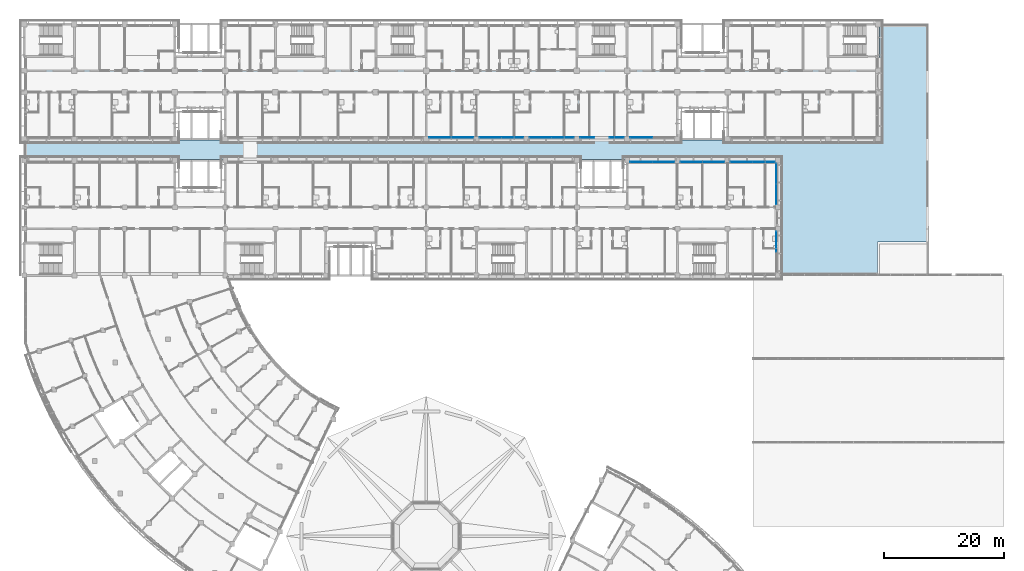
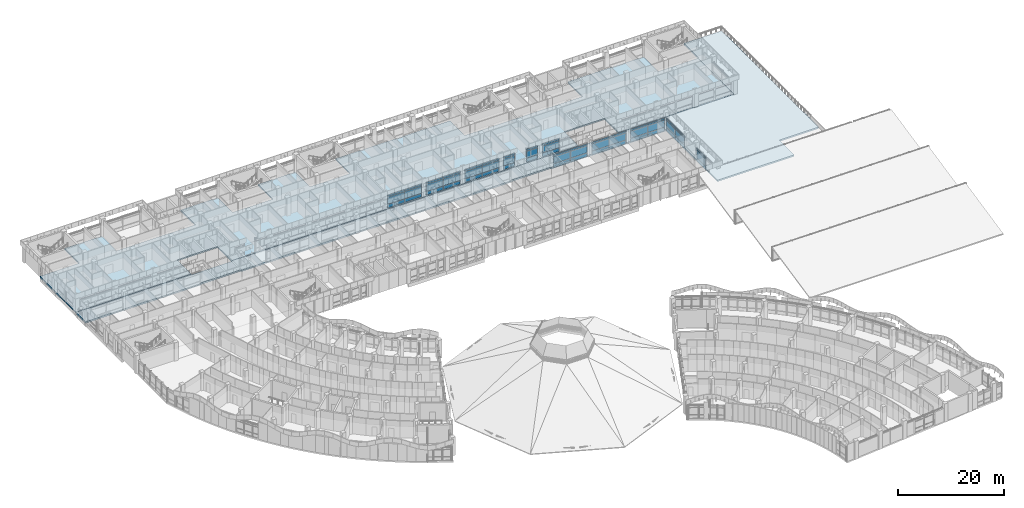
# One storey, part 58 of 137: 54 plates, 2 slabs, 11 elements without a shape of their own.
"""IFC4 building model written with IfcOpenShell, lengths in metres."""

from ifc_helpers import new_model, si_unit, direction, frame, origin, origin_2d, place, context, subcontext, project, spatial, polyline, rectangle, outline, extrude, material, layer, layer_set, type_object, element, aggregate, save


model = new_model("IFC4")

# Units and contexts
model_context = context("Model", 3, precision=1e-05, world=origin(), true_north=direction((0.0, 1.0)))
body_context = subcontext(model_context, "Body", "Model", "MODEL_VIEW")
ifc_project = project(units=[si_unit("LENGTHUNIT", "METRE"), si_unit("AREAUNIT", "SQUARE_METRE"), si_unit("VOLUMEUNIT", "CUBIC_METRE"), si_unit("PLANEANGLEUNIT", "RADIAN"), si_unit("MASSUNIT", "GRAM", prefix="KILO")], contexts=[model_context])

# Site, building, storey
site_placement = place(None, origin())
site = spatial("IfcSite", under=ifc_project, at=site_placement, CompositionType="ELEMENT")
building_placement = place(site_placement, origin())
building = spatial("IfcBuilding", under=site, at=building_placement, Name="Bougainvillea Quay General Hospital", CompositionType="ELEMENT")
storey_placement = place(building_placement, frame((0.0, 0.0, 16.800048828125)))
storey = spatial("IfcBuildingStorey", under=building, at=storey_placement, Name="L03", CompositionType="ELEMENT", Elevation=16.800048828125)

# Curtain wall, plates
ifc_material_1 = material(Name="Aluminium curtain wall system, powder-coated glazed", Category="aluminium")
curtain_wall_type_1 = type_object("IfcCurtainWallType", Name="Unitised curtain wall CW-2470", PredefinedType="NOTDEFINED", material=ifc_material_1)
curtain_wall_1_placement = place(storey_placement, origin())
curtain_wall_1 = element("IfcCurtainWall", 1, at=curtain_wall_1_placement, inside=storey, type_object=curtain_wall_type_1, Name="CW-4200 00", PredefinedType="NOTDEFINED")
ifc_material_2 = material(Name="Insulated aluminium spandrel panel, white", Category="aluminium")
ifc_layer_1 = layer(ifc_material_2, 0.028076171875)
ifc_layer_set_1 = layer_set([ifc_layer_1], Name="Insulated aluminium spandrel panel, white")
plate_type_1 = type_object("IfcPlateType", Name="Insulated spandrel panel white 28", PredefinedType="CURTAIN_PANEL", material=ifc_layer_set_1)
plate_1_placement = place(storey_placement, frame((141.094970703125, 140.64990234375, 0.059814453125), z_axis=(0.0, 0.0, 1.0), x_axis=(1.0, 0.0, 0.0)))
plate_1 = element("IfcPlate", 2, at=plate_1_placement, type_object=plate_type_1, Name="CW-4200 spandrel panel 1.1", PredefinedType="CURTAIN_PANEL", context=body_context, shape_type="SweptSolid", body=[
    extrude(rectangle(XDim=2.35009765625, YDim=0.028076171875, at=origin_2d()), origin(), (0.0, 0.0, 1.0), 0.81005859375),
])
plate_2_placement = place(storey_placement, frame((141.094970703125, 140.64990234375, 2.580078125), z_axis=(0.0, 0.0, 1.0), x_axis=(1.0, 0.0, 0.0)))
plate_2 = element("IfcPlate", 3, at=plate_2_placement, type_object=plate_type_1, Name="CW-4200 spandrel panel 1.3", PredefinedType="CURTAIN_PANEL", context=body_context, shape_type="SweptSolid", body=[
    extrude(rectangle(XDim=2.35009765625, YDim=0.028076171875, at=origin_2d()), origin(), (0.0, 0.0, 1.0), 0.409912109375),
])

curtain_wall_type_2 = type_object("IfcCurtainWallType", Name="Unitised curtain wall CW-3730", PredefinedType="NOTDEFINED", material=ifc_material_1)
curtain_wall_2_placement = place(storey_placement, origin())
curtain_wall_2 = element("IfcCurtainWall", 4, at=curtain_wall_2_placement, inside=storey, type_object=curtain_wall_type_2, Name="CW-4200 01", PredefinedType="NOTDEFINED")
plate_3_placement = place(storey_placement, frame((145.14990234375, 140.64990234375, 0.059814453125), z_axis=(0.0, 0.0, 1.0), x_axis=(1.0, 0.0, 0.0)))
plate_3 = element("IfcPlate", 5, at=plate_3_placement, type_object=plate_type_1, Name="CW-4200 spandrel panel 1.1", PredefinedType="CURTAIN_PANEL", context=body_context, shape_type="SweptSolid", body=[
    extrude(rectangle(XDim=3.639892578125, YDim=0.028076171875, at=origin_2d()), origin(), (0.0, 0.0, 1.0), 0.81005859375),
])
plate_4_placement = place(storey_placement, frame((145.14990234375, 140.64990234375, 2.580078125), z_axis=(0.0, 0.0, 1.0), x_axis=(1.0, 0.0, 0.0)))
plate_4 = element("IfcPlate", 6, at=plate_4_placement, type_object=plate_type_1, Name="CW-4200 spandrel panel 1.3", PredefinedType="CURTAIN_PANEL", context=body_context, shape_type="SweptSolid", body=[
    extrude(rectangle(XDim=3.639892578125, YDim=0.028076171875, at=origin_2d()), origin(), (0.0, 0.0, 1.0), 0.409912109375),
])

curtain_wall_3_placement = place(storey_placement, origin())
curtain_wall_3 = element("IfcCurtainWall", 7, at=curtain_wall_3_placement, inside=storey, type_object=curtain_wall_type_2, Name="CW-4200 04", PredefinedType="NOTDEFINED")
plate_5_placement = place(storey_placement, frame((111.550048828125, 140.64990234375, 0.059814453125), z_axis=(0.0, 0.0, 1.0), x_axis=(1.0, 0.0, 0.0)))
plate_5 = element("IfcPlate", 8, at=plate_5_placement, type_object=plate_type_1, Name="CW-4200 spandrel panel 1.1", PredefinedType="CURTAIN_PANEL", context=body_context, shape_type="SweptSolid", body=[
    extrude(rectangle(XDim=3.639892578125, YDim=0.028076171875, at=origin_2d()), origin(), (0.0, 0.0, 1.0), 0.81005859375),
])
plate_6_placement = place(storey_placement, frame((111.550048828125, 140.64990234375, 2.580078125), z_axis=(0.0, 0.0, 1.0), x_axis=(1.0, 0.0, 0.0)))
plate_6 = element("IfcPlate", 9, at=plate_6_placement, type_object=plate_type_1, Name="CW-4200 spandrel panel 1.3", PredefinedType="CURTAIN_PANEL", context=body_context, shape_type="SweptSolid", body=[
    extrude(rectangle(XDim=3.639892578125, YDim=0.028076171875, at=origin_2d()), origin(), (0.0, 0.0, 1.0), 0.409912109375),
])
plate_7_placement = place(storey_placement, frame((115.25, 140.64990234375, 0.059814453125), z_axis=(0.0, 0.0, 1.0), x_axis=(1.0, 0.0, 0.0)))
plate_7 = element("IfcPlate", 10, at=plate_7_placement, type_object=plate_type_1, Name="CW-4200 spandrel panel 2.1", PredefinedType="CURTAIN_PANEL", context=body_context, shape_type="SweptSolid", body=[
    extrude(rectangle(XDim=3.639892578125, YDim=0.028076171875, at=origin_2d()), origin(), (0.0, 0.0, 1.0), 0.81005859375),
])
plate_8_placement = place(storey_placement, frame((115.25, 140.64990234375, 2.580078125), z_axis=(0.0, 0.0, 1.0), x_axis=(1.0, 0.0, 0.0)))
plate_8 = element("IfcPlate", 11, at=plate_8_placement, type_object=plate_type_1, Name="CW-4200 spandrel panel 2.3", PredefinedType="CURTAIN_PANEL", context=body_context, shape_type="SweptSolid", body=[
    extrude(rectangle(XDim=3.639892578125, YDim=0.028076171875, at=origin_2d()), origin(), (0.0, 0.0, 1.0), 0.409912109375),
])

curtain_wall_4_placement = place(storey_placement, origin())
curtain_wall_4 = element("IfcCurtainWall", 12, at=curtain_wall_4_placement, inside=storey, type_object=curtain_wall_type_2, Name="CW-4200 05", PredefinedType="NOTDEFINED")
plate_9_placement = place(storey_placement, frame((119.949951171875, 140.64990234375, 0.059814453125), z_axis=(0.0, 0.0, 1.0), x_axis=(1.0, 0.0, 0.0)))
plate_9 = element("IfcPlate", 13, at=plate_9_placement, type_object=plate_type_1, Name="CW-4200 spandrel panel 1.1", PredefinedType="CURTAIN_PANEL", context=body_context, shape_type="SweptSolid", body=[
    extrude(rectangle(XDim=3.639892578125, YDim=0.028076171875, at=origin_2d()), origin(), (0.0, 0.0, 1.0), 0.81005859375),
])
plate_10_placement = place(storey_placement, frame((119.949951171875, 140.64990234375, 2.580078125), z_axis=(0.0, 0.0, 1.0), x_axis=(1.0, 0.0, 0.0)))
plate_10 = element("IfcPlate", 14, at=plate_10_placement, type_object=plate_type_1, Name="CW-4200 spandrel panel 1.3", PredefinedType="CURTAIN_PANEL", context=body_context, shape_type="SweptSolid", body=[
    extrude(rectangle(XDim=3.639892578125, YDim=0.028076171875, at=origin_2d()), origin(), (0.0, 0.0, 1.0), 0.409912109375),
])
plate_11_placement = place(storey_placement, frame((123.64990234375, 140.64990234375, 0.059814453125), z_axis=(0.0, 0.0, 1.0), x_axis=(1.0, 0.0, 0.0)))
plate_11 = element("IfcPlate", 15, at=plate_11_placement, type_object=plate_type_1, Name="CW-4200 spandrel panel 2.1", PredefinedType="CURTAIN_PANEL", context=body_context, shape_type="SweptSolid", body=[
    extrude(rectangle(XDim=3.639892578125, YDim=0.028076171875, at=origin_2d()), origin(), (0.0, 0.0, 1.0), 0.81005859375),
])
plate_12_placement = place(storey_placement, frame((123.64990234375, 140.64990234375, 2.580078125), z_axis=(0.0, 0.0, 1.0), x_axis=(1.0, 0.0, 0.0)))
plate_12 = element("IfcPlate", 16, at=plate_12_placement, type_object=plate_type_1, Name="CW-4200 spandrel panel 2.3", PredefinedType="CURTAIN_PANEL", context=body_context, shape_type="SweptSolid", body=[
    extrude(rectangle(XDim=3.639892578125, YDim=0.028076171875, at=origin_2d()), origin(), (0.0, 0.0, 1.0), 0.409912109375),
])

curtain_wall_5_placement = place(storey_placement, origin())
curtain_wall_5 = element("IfcCurtainWall", 17, at=curtain_wall_5_placement, inside=storey, type_object=curtain_wall_type_2, Name="CW-4200 06", PredefinedType="NOTDEFINED")
plate_13_placement = place(storey_placement, frame((128.35009765625, 140.64990234375, 0.059814453125), z_axis=(0.0, 0.0, 1.0), x_axis=(1.0, 0.0, 0.0)))
plate_13 = element("IfcPlate", 18, at=plate_13_placement, type_object=plate_type_1, Name="CW-4200 spandrel panel 1.1", PredefinedType="CURTAIN_PANEL", context=body_context, shape_type="SweptSolid", body=[
    extrude(rectangle(XDim=3.639892578125, YDim=0.028076171875, at=origin_2d()), origin(), (0.0, 0.0, 1.0), 0.81005859375),
])
plate_14_placement = place(storey_placement, frame((128.35009765625, 140.64990234375, 2.580078125), z_axis=(0.0, 0.0, 1.0), x_axis=(1.0, 0.0, 0.0)))
plate_14 = element("IfcPlate", 19, at=plate_14_placement, type_object=plate_type_1, Name="CW-4200 spandrel panel 1.3", PredefinedType="CURTAIN_PANEL", context=body_context, shape_type="SweptSolid", body=[
    extrude(rectangle(XDim=3.639892578125, YDim=0.028076171875, at=origin_2d()), origin(), (0.0, 0.0, 1.0), 0.409912109375),
])
plate_15_placement = place(storey_placement, frame((132.050048828125, 140.64990234375, 0.059814453125), z_axis=(0.0, 0.0, 1.0), x_axis=(1.0, 0.0, 0.0)))
plate_15 = element("IfcPlate", 20, at=plate_15_placement, type_object=plate_type_1, Name="CW-4200 spandrel panel 2.1", PredefinedType="CURTAIN_PANEL", context=body_context, shape_type="SweptSolid", body=[
    extrude(rectangle(XDim=3.639892578125, YDim=0.028076171875, at=origin_2d()), origin(), (0.0, 0.0, 1.0), 0.81005859375),
])
plate_16_placement = place(storey_placement, frame((132.050048828125, 140.64990234375, 2.580078125), z_axis=(0.0, 0.0, 1.0), x_axis=(1.0, 0.0, 0.0)))
plate_16 = element("IfcPlate", 21, at=plate_16_placement, type_object=plate_type_1, Name="CW-4200 spandrel panel 2.3", PredefinedType="CURTAIN_PANEL", context=body_context, shape_type="SweptSolid", body=[
    extrude(rectangle(XDim=3.639892578125, YDim=0.028076171875, at=origin_2d()), origin(), (0.0, 0.0, 1.0), 0.409912109375),
])

curtain_wall_6_placement = place(storey_placement, origin())
curtain_wall_6 = element("IfcCurtainWall", 22, at=curtain_wall_6_placement, inside=storey, type_object=curtain_wall_type_1, Name="CW-4200 07", PredefinedType="NOTDEFINED")
plate_17_placement = place(storey_placement, frame((136.10498046875, 140.64990234375, 0.059814453125), z_axis=(0.0, 0.0, 1.0), x_axis=(1.0, 0.0, 0.0)))
plate_17 = element("IfcPlate", 23, at=plate_17_placement, type_object=plate_type_1, Name="CW-4200 spandrel panel 1.1", PredefinedType="CURTAIN_PANEL", context=body_context, shape_type="SweptSolid", body=[
    extrude(rectangle(XDim=2.35009765625, YDim=0.028076171875, at=origin_2d()), origin(), (0.0, 0.0, 1.0), 0.81005859375),
])
plate_18_placement = place(storey_placement, frame((136.10498046875, 140.64990234375, 2.580078125), z_axis=(0.0, 0.0, 1.0), x_axis=(1.0, 0.0, 0.0)))
plate_18 = element("IfcPlate", 24, at=plate_18_placement, type_object=plate_type_1, Name="CW-4200 spandrel panel 1.3", PredefinedType="CURTAIN_PANEL", context=body_context, shape_type="SweptSolid", body=[
    extrude(rectangle(XDim=2.35009765625, YDim=0.028076171875, at=origin_2d()), origin(), (0.0, 0.0, 1.0), 0.409912109375),
])

curtain_wall_type_3 = type_object("IfcCurtainWallType", Name="Unitised curtain wall CW-3430", PredefinedType="NOTDEFINED", material=ifc_material_1)
curtain_wall_7_placement = place(storey_placement, origin())
curtain_wall_7 = element("IfcCurtainWall", 25, at=curtain_wall_7_placement, inside=storey, type_object=curtain_wall_type_3, Name="CW-4200 00", PredefinedType="NOTDEFINED")
plate_19_placement = place(storey_placement, frame((167.75, 123.199951171875, 0.059814453125), z_axis=(0.0, 0.0, 1.0), x_axis=(0.0, 1.0, 0.0)))
plate_19 = element("IfcPlate", 26, at=plate_19_placement, type_object=plate_type_1, Name="CW-4200 spandrel panel 2.1", PredefinedType="CURTAIN_PANEL", context=body_context, shape_type="SweptSolid", body=[
    extrude(rectangle(XDim=3.340087890625, YDim=0.028076171875, at=origin_2d()), origin(), (0.0, 0.0, 1.0), 0.81005859375),
])
plate_20_placement = place(storey_placement, frame((167.75, 123.199951171875, 2.580078125), z_axis=(0.0, 0.0, 1.0), x_axis=(0.0, 1.0, 0.0)))
plate_20 = element("IfcPlate", 27, at=plate_20_placement, type_object=plate_type_1, Name="CW-4200 spandrel panel 2.3", PredefinedType="CURTAIN_PANEL", context=body_context, shape_type="SweptSolid", body=[
    extrude(rectangle(XDim=3.340087890625, YDim=0.028076171875, at=origin_2d()), origin(), (0.0, 0.0, 1.0), 0.409912109375),
])

curtain_wall_8_placement = place(storey_placement, origin())
curtain_wall_8 = element("IfcCurtainWall", 28, at=curtain_wall_8_placement, inside=storey, type_object=curtain_wall_type_3, Name="CW-4200 02", PredefinedType="NOTDEFINED")
plate_21_placement = place(storey_placement, frame((167.75, 131.199951171875, 0.059814453125), z_axis=(0.0, 0.0, 1.0), x_axis=(0.0, 1.0, 0.0)))
plate_21 = element("IfcPlate", 29, at=plate_21_placement, type_object=plate_type_1, Name="CW-4200 spandrel panel 1.1", PredefinedType="CURTAIN_PANEL", context=body_context, shape_type="SweptSolid", body=[
    extrude(rectangle(XDim=3.340087890625, YDim=0.028076171875, at=origin_2d()), origin(), (0.0, 0.0, 1.0), 0.81005859375),
])
plate_22_placement = place(storey_placement, frame((167.75, 131.199951171875, 2.580078125), z_axis=(0.0, 0.0, 1.0), x_axis=(0.0, 1.0, 0.0)))
plate_22 = element("IfcPlate", 30, at=plate_22_placement, type_object=plate_type_1, Name="CW-4200 spandrel panel 1.3", PredefinedType="CURTAIN_PANEL", context=body_context, shape_type="SweptSolid", body=[
    extrude(rectangle(XDim=3.340087890625, YDim=0.028076171875, at=origin_2d()), origin(), (0.0, 0.0, 1.0), 0.409912109375),
])
plate_23_placement = place(storey_placement, frame((167.75, 134.60009765625, 0.059814453125), z_axis=(0.0, 0.0, 1.0), x_axis=(0.0, 1.0, 0.0)))
plate_23 = element("IfcPlate", 31, at=plate_23_placement, type_object=plate_type_1, Name="CW-4200 spandrel panel 2.1", PredefinedType="CURTAIN_PANEL", context=body_context, shape_type="SweptSolid", body=[
    extrude(rectangle(XDim=3.340087890625, YDim=0.028076171875, at=origin_2d()), origin(), (0.0, 0.0, 1.0), 0.81005859375),
])
plate_24_placement = place(storey_placement, frame((167.75, 134.60009765625, 2.580078125), z_axis=(0.0, 0.0, 1.0), x_axis=(0.0, 1.0, 0.0)))
plate_24 = element("IfcPlate", 32, at=plate_24_placement, type_object=plate_type_1, Name="CW-4200 spandrel panel 2.3", PredefinedType="CURTAIN_PANEL", context=body_context, shape_type="SweptSolid", body=[
    extrude(rectangle(XDim=3.340087890625, YDim=0.028076171875, at=origin_2d()), origin(), (0.0, 0.0, 1.0), 0.409912109375),
])

curtain_wall_9_placement = place(storey_placement, origin())
curtain_wall_9 = element("IfcCurtainWall", 33, at=curtain_wall_9_placement, inside=storey, type_object=curtain_wall_type_2, Name="CW-4200 00", PredefinedType="NOTDEFINED")
plate_25_placement = place(storey_placement, frame((165.64990234375, 136.550048828125, 0.059814453125), z_axis=(0.0, 0.0, 1.0), x_axis=(-1.0, 0.0, 0.0)))
plate_25 = element("IfcPlate", 34, at=plate_25_placement, type_object=plate_type_1, Name="CW-4200 spandrel panel 1.1", PredefinedType="CURTAIN_PANEL", context=body_context, shape_type="SweptSolid", body=[
    extrude(rectangle(XDim=3.639892578125, YDim=0.028076171875, at=origin_2d()), origin(), (0.0, 0.0, 1.0), 0.81005859375),
])
plate_26_placement = place(storey_placement, frame((165.64990234375, 136.550048828125, 2.580078125), z_axis=(0.0, 0.0, 1.0), x_axis=(-1.0, 0.0, 0.0)))
plate_26 = element("IfcPlate", 35, at=plate_26_placement, type_object=plate_type_1, Name="CW-4200 spandrel panel 1.3", PredefinedType="CURTAIN_PANEL", context=body_context, shape_type="SweptSolid", body=[
    extrude(rectangle(XDim=3.639892578125, YDim=0.028076171875, at=origin_2d()), origin(), (0.0, 0.0, 1.0), 0.409912109375),
])
plate_27_placement = place(storey_placement, frame((161.949951171875, 136.550048828125, 0.059814453125), z_axis=(0.0, 0.0, 1.0), x_axis=(-1.0, 0.0, 0.0)))
plate_27 = element("IfcPlate", 36, at=plate_27_placement, type_object=plate_type_1, Name="CW-4200 spandrel panel 2.1", PredefinedType="CURTAIN_PANEL", context=body_context, shape_type="SweptSolid", body=[
    extrude(rectangle(XDim=3.639892578125, YDim=0.028076171875, at=origin_2d()), origin(), (0.0, 0.0, 1.0), 0.81005859375),
])
plate_28_placement = place(storey_placement, frame((161.949951171875, 136.550048828125, 2.580078125), z_axis=(0.0, 0.0, 1.0), x_axis=(-1.0, 0.0, 0.0)))
plate_28 = element("IfcPlate", 37, at=plate_28_placement, type_object=plate_type_1, Name="CW-4200 spandrel panel 2.3", PredefinedType="CURTAIN_PANEL", context=body_context, shape_type="SweptSolid", body=[
    extrude(rectangle(XDim=3.639892578125, YDim=0.028076171875, at=origin_2d()), origin(), (0.0, 0.0, 1.0), 0.409912109375),
])

curtain_wall_10_placement = place(storey_placement, origin())
curtain_wall_10 = element("IfcCurtainWall", 38, at=curtain_wall_10_placement, inside=storey, type_object=curtain_wall_type_2, Name="CW-4200 01", PredefinedType="NOTDEFINED")
plate_29_placement = place(storey_placement, frame((157.25, 136.550048828125, 0.059814453125), z_axis=(0.0, 0.0, 1.0), x_axis=(-1.0, 0.0, 0.0)))
plate_29 = element("IfcPlate", 39, at=plate_29_placement, type_object=plate_type_1, Name="CW-4200 spandrel panel 1.1", PredefinedType="CURTAIN_PANEL", context=body_context, shape_type="SweptSolid", body=[
    extrude(rectangle(XDim=3.639892578125, YDim=0.028076171875, at=origin_2d()), origin(), (0.0, 0.0, 1.0), 0.81005859375),
])
plate_30_placement = place(storey_placement, frame((157.25, 136.550048828125, 2.580078125), z_axis=(0.0, 0.0, 1.0), x_axis=(-1.0, 0.0, 0.0)))
plate_30 = element("IfcPlate", 40, at=plate_30_placement, type_object=plate_type_1, Name="CW-4200 spandrel panel 1.3", PredefinedType="CURTAIN_PANEL", context=body_context, shape_type="SweptSolid", body=[
    extrude(rectangle(XDim=3.639892578125, YDim=0.028076171875, at=origin_2d()), origin(), (0.0, 0.0, 1.0), 0.409912109375),
])
plate_31_placement = place(storey_placement, frame((153.550048828125, 136.550048828125, 0.059814453125), z_axis=(0.0, 0.0, 1.0), x_axis=(-1.0, 0.0, 0.0)))
plate_31 = element("IfcPlate", 41, at=plate_31_placement, type_object=plate_type_1, Name="CW-4200 spandrel panel 2.1", PredefinedType="CURTAIN_PANEL", context=body_context, shape_type="SweptSolid", body=[
    extrude(rectangle(XDim=3.639892578125, YDim=0.028076171875, at=origin_2d()), origin(), (0.0, 0.0, 1.0), 0.81005859375),
])
plate_32_placement = place(storey_placement, frame((153.550048828125, 136.550048828125, 2.580078125), z_axis=(0.0, 0.0, 1.0), x_axis=(-1.0, 0.0, 0.0)))
plate_32 = element("IfcPlate", 42, at=plate_32_placement, type_object=plate_type_1, Name="CW-4200 spandrel panel 2.3", PredefinedType="CURTAIN_PANEL", context=body_context, shape_type="SweptSolid", body=[
    extrude(rectangle(XDim=3.639892578125, YDim=0.028076171875, at=origin_2d()), origin(), (0.0, 0.0, 1.0), 0.409912109375),
])

curtain_wall_11_placement = place(storey_placement, origin())
curtain_wall_11 = element("IfcCurtainWall", 43, at=curtain_wall_11_placement, inside=storey, type_object=curtain_wall_type_2, Name="CW-4200 02", PredefinedType="NOTDEFINED")
plate_33_placement = place(storey_placement, frame((148.85009765625, 136.550048828125, 0.059814453125), z_axis=(0.0, 0.0, 1.0), x_axis=(-1.0, 0.0, 0.0)))
plate_33 = element("IfcPlate", 44, at=plate_33_placement, type_object=plate_type_1, Name="CW-4200 spandrel panel 1.1", PredefinedType="CURTAIN_PANEL", context=body_context, shape_type="SweptSolid", body=[
    extrude(rectangle(XDim=3.639892578125, YDim=0.028076171875, at=origin_2d()), origin(), (0.0, 0.0, 1.0), 0.81005859375),
])
plate_34_placement = place(storey_placement, frame((148.85009765625, 136.550048828125, 2.580078125), z_axis=(0.0, 0.0, 1.0), x_axis=(-1.0, 0.0, 0.0)))
plate_34 = element("IfcPlate", 45, at=plate_34_placement, type_object=plate_type_1, Name="CW-4200 spandrel panel 1.3", PredefinedType="CURTAIN_PANEL", context=body_context, shape_type="SweptSolid", body=[
    extrude(rectangle(XDim=3.639892578125, YDim=0.028076171875, at=origin_2d()), origin(), (0.0, 0.0, 1.0), 0.409912109375),
])
plate_35_placement = place(storey_placement, frame((145.14990234375, 136.550048828125, 0.059814453125), z_axis=(0.0, 0.0, 1.0), x_axis=(-1.0, 0.0, 0.0)))
plate_35 = element("IfcPlate", 46, at=plate_35_placement, type_object=plate_type_1, Name="CW-4200 spandrel panel 2.1", PredefinedType="CURTAIN_PANEL", context=body_context, shape_type="SweptSolid", body=[
    extrude(rectangle(XDim=3.639892578125, YDim=0.028076171875, at=origin_2d()), origin(), (0.0, 0.0, 1.0), 0.81005859375),
])
plate_36_placement = place(storey_placement, frame((145.14990234375, 136.550048828125, 2.580078125), z_axis=(0.0, 0.0, 1.0), x_axis=(-1.0, 0.0, 0.0)))
plate_36 = element("IfcPlate", 47, at=plate_36_placement, type_object=plate_type_1, Name="CW-4200 spandrel panel 2.3", PredefinedType="CURTAIN_PANEL", context=body_context, shape_type="SweptSolid", body=[
    extrude(rectangle(XDim=3.639892578125, YDim=0.028076171875, at=origin_2d()), origin(), (0.0, 0.0, 1.0), 0.409912109375),
])

# Plate
ifc_material_3 = material(Name="Low-e laminated glass, solar control", Category="glass")
ifc_layer_2 = layer(ifc_material_3, 0.028076171875)
ifc_layer_set_2 = layer_set([ifc_layer_2], Name="Low-e laminated glass, solar control")
plate_type_2 = type_object("IfcPlateType", Name="Low-e laminated vision glass 28", PredefinedType="CURTAIN_PANEL", material=ifc_layer_set_2)
plate_37_placement = place(storey_placement, frame((141.094970703125, 140.64990234375, 0.9296875), z_axis=(0.0, 0.0, 1.0), x_axis=(1.0, 0.0, 0.0)))
plate_37 = element("IfcPlate", 48, at=plate_37_placement, type_object=plate_type_2, Name="CW-4200 vision glass panel 1.2", PredefinedType="CURTAIN_PANEL", context=body_context, shape_type="SweptSolid", body=[
    extrude(rectangle(XDim=2.35009765625, YDim=0.028076171875, at=origin_2d()), origin(), (0.0, 0.0, 1.0), 1.590087890625),
])

aggregate(curtain_wall_1, [plate_1, plate_37, plate_2])

plate_38_placement = place(storey_placement, frame((145.14990234375, 140.64990234375, 0.9296875), z_axis=(0.0, 0.0, 1.0), x_axis=(1.0, 0.0, 0.0)))
plate_38 = element("IfcPlate", 49, at=plate_38_placement, type_object=plate_type_2, Name="CW-4200 vision glass panel 1.2", PredefinedType="CURTAIN_PANEL", context=body_context, shape_type="SweptSolid", body=[
    extrude(rectangle(XDim=3.639892578125, YDim=0.028076171875, at=origin_2d()), origin(), (0.0, 0.0, 1.0), 1.590087890625),
])

aggregate(curtain_wall_2, [plate_3, plate_38, plate_4])

plate_39_placement = place(storey_placement, frame((111.550048828125, 140.64990234375, 0.9296875), z_axis=(0.0, 0.0, 1.0), x_axis=(1.0, 0.0, 0.0)))
plate_39 = element("IfcPlate", 50, at=plate_39_placement, type_object=plate_type_2, Name="CW-4200 vision glass panel 1.2", PredefinedType="CURTAIN_PANEL", context=body_context, shape_type="SweptSolid", body=[
    extrude(rectangle(XDim=3.639892578125, YDim=0.028076171875, at=origin_2d()), origin(), (0.0, 0.0, 1.0), 1.590087890625),
])

plate_40_placement = place(storey_placement, frame((115.25, 140.64990234375, 0.9296875), z_axis=(0.0, 0.0, 1.0), x_axis=(1.0, 0.0, 0.0)))
plate_40 = element("IfcPlate", 51, at=plate_40_placement, type_object=plate_type_2, Name="CW-4200 vision glass panel 2.2", PredefinedType="CURTAIN_PANEL", context=body_context, shape_type="SweptSolid", body=[
    extrude(rectangle(XDim=3.639892578125, YDim=0.028076171875, at=origin_2d()), origin(), (0.0, 0.0, 1.0), 1.590087890625),
])

aggregate(curtain_wall_3, [plate_5, plate_39, plate_6, plate_7, plate_40, plate_8])

plate_41_placement = place(storey_placement, frame((119.949951171875, 140.64990234375, 0.9296875), z_axis=(0.0, 0.0, 1.0), x_axis=(1.0, 0.0, 0.0)))
plate_41 = element("IfcPlate", 52, at=plate_41_placement, type_object=plate_type_2, Name="CW-4200 vision glass panel 1.2", PredefinedType="CURTAIN_PANEL", context=body_context, shape_type="SweptSolid", body=[
    extrude(rectangle(XDim=3.639892578125, YDim=0.028076171875, at=origin_2d()), origin(), (0.0, 0.0, 1.0), 1.590087890625),
])

plate_42_placement = place(storey_placement, frame((123.64990234375, 140.64990234375, 0.9296875), z_axis=(0.0, 0.0, 1.0), x_axis=(1.0, 0.0, 0.0)))
plate_42 = element("IfcPlate", 53, at=plate_42_placement, type_object=plate_type_2, Name="CW-4200 vision glass panel 2.2", PredefinedType="CURTAIN_PANEL", context=body_context, shape_type="SweptSolid", body=[
    extrude(rectangle(XDim=3.639892578125, YDim=0.028076171875, at=origin_2d()), origin(), (0.0, 0.0, 1.0), 1.590087890625),
])

aggregate(curtain_wall_4, [plate_9, plate_41, plate_10, plate_11, plate_42, plate_12])

plate_43_placement = place(storey_placement, frame((128.35009765625, 140.64990234375, 0.9296875), z_axis=(0.0, 0.0, 1.0), x_axis=(1.0, 0.0, 0.0)))
plate_43 = element("IfcPlate", 54, at=plate_43_placement, type_object=plate_type_2, Name="CW-4200 vision glass panel 1.2", PredefinedType="CURTAIN_PANEL", context=body_context, shape_type="SweptSolid", body=[
    extrude(rectangle(XDim=3.639892578125, YDim=0.028076171875, at=origin_2d()), origin(), (0.0, 0.0, 1.0), 1.590087890625),
])

plate_44_placement = place(storey_placement, frame((132.050048828125, 140.64990234375, 0.9296875), z_axis=(0.0, 0.0, 1.0), x_axis=(1.0, 0.0, 0.0)))
plate_44 = element("IfcPlate", 55, at=plate_44_placement, type_object=plate_type_2, Name="CW-4200 vision glass panel 2.2", PredefinedType="CURTAIN_PANEL", context=body_context, shape_type="SweptSolid", body=[
    extrude(rectangle(XDim=3.639892578125, YDim=0.028076171875, at=origin_2d()), origin(), (0.0, 0.0, 1.0), 1.590087890625),
])

aggregate(curtain_wall_5, [plate_13, plate_43, plate_14, plate_15, plate_44, plate_16])

plate_45_placement = place(storey_placement, frame((136.10498046875, 140.64990234375, 0.9296875), z_axis=(0.0, 0.0, 1.0), x_axis=(1.0, 0.0, 0.0)))
plate_45 = element("IfcPlate", 56, at=plate_45_placement, type_object=plate_type_2, Name="CW-4200 vision glass panel 1.2", PredefinedType="CURTAIN_PANEL", context=body_context, shape_type="SweptSolid", body=[
    extrude(rectangle(XDim=2.35009765625, YDim=0.028076171875, at=origin_2d()), origin(), (0.0, 0.0, 1.0), 1.590087890625),
])

aggregate(curtain_wall_6, [plate_17, plate_45, plate_18])

plate_46_placement = place(storey_placement, frame((167.75, 123.199951171875, 0.9296875), z_axis=(0.0, 0.0, 1.0), x_axis=(0.0, 1.0, 0.0)))
plate_46 = element("IfcPlate", 57, at=plate_46_placement, type_object=plate_type_2, Name="CW-4200 vision glass panel 2.2", PredefinedType="CURTAIN_PANEL", context=body_context, shape_type="SweptSolid", body=[
    extrude(rectangle(XDim=3.340087890625, YDim=0.028076171875, at=origin_2d()), origin(), (0.0, 0.0, 1.0), 1.590087890625),
])

aggregate(curtain_wall_7, [plate_19, plate_46, plate_20])

plate_47_placement = place(storey_placement, frame((167.75, 131.199951171875, 0.9296875), z_axis=(0.0, 0.0, 1.0), x_axis=(0.0, 1.0, 0.0)))
plate_47 = element("IfcPlate", 58, at=plate_47_placement, type_object=plate_type_2, Name="CW-4200 vision glass panel 1.2", PredefinedType="CURTAIN_PANEL", context=body_context, shape_type="SweptSolid", body=[
    extrude(rectangle(XDim=3.340087890625, YDim=0.028076171875, at=origin_2d()), origin(), (0.0, 0.0, 1.0), 1.590087890625),
])

plate_48_placement = place(storey_placement, frame((167.75, 134.60009765625, 0.9296875), z_axis=(0.0, 0.0, 1.0), x_axis=(0.0, 1.0, 0.0)))
plate_48 = element("IfcPlate", 59, at=plate_48_placement, type_object=plate_type_2, Name="CW-4200 vision glass panel 2.2", PredefinedType="CURTAIN_PANEL", context=body_context, shape_type="SweptSolid", body=[
    extrude(rectangle(XDim=3.340087890625, YDim=0.028076171875, at=origin_2d()), origin(), (0.0, 0.0, 1.0), 1.590087890625),
])

aggregate(curtain_wall_8, [plate_21, plate_47, plate_22, plate_23, plate_48, plate_24])

plate_49_placement = place(storey_placement, frame((165.64990234375, 136.550048828125, 0.9296875), z_axis=(0.0, 0.0, 1.0), x_axis=(-1.0, 0.0, 0.0)))
plate_49 = element("IfcPlate", 60, at=plate_49_placement, type_object=plate_type_2, Name="CW-4200 vision glass panel 1.2", PredefinedType="CURTAIN_PANEL", context=body_context, shape_type="SweptSolid", body=[
    extrude(rectangle(XDim=3.639892578125, YDim=0.028076171875, at=origin_2d()), origin(), (0.0, 0.0, 1.0), 1.590087890625),
])

plate_50_placement = place(storey_placement, frame((161.949951171875, 136.550048828125, 0.9296875), z_axis=(0.0, 0.0, 1.0), x_axis=(-1.0, 0.0, 0.0)))
plate_50 = element("IfcPlate", 61, at=plate_50_placement, type_object=plate_type_2, Name="CW-4200 vision glass panel 2.2", PredefinedType="CURTAIN_PANEL", context=body_context, shape_type="SweptSolid", body=[
    extrude(rectangle(XDim=3.639892578125, YDim=0.028076171875, at=origin_2d()), origin(), (0.0, 0.0, 1.0), 1.590087890625),
])

aggregate(curtain_wall_9, [plate_25, plate_49, plate_26, plate_27, plate_50, plate_28])

plate_51_placement = place(storey_placement, frame((157.25, 136.550048828125, 0.9296875), z_axis=(0.0, 0.0, 1.0), x_axis=(-1.0, 0.0, 0.0)))
plate_51 = element("IfcPlate", 62, at=plate_51_placement, type_object=plate_type_2, Name="CW-4200 vision glass panel 1.2", PredefinedType="CURTAIN_PANEL", context=body_context, shape_type="SweptSolid", body=[
    extrude(rectangle(XDim=3.639892578125, YDim=0.028076171875, at=origin_2d()), origin(), (0.0, 0.0, 1.0), 1.590087890625),
])

plate_52_placement = place(storey_placement, frame((153.550048828125, 136.550048828125, 0.9296875), z_axis=(0.0, 0.0, 1.0), x_axis=(-1.0, 0.0, 0.0)))
plate_52 = element("IfcPlate", 63, at=plate_52_placement, type_object=plate_type_2, Name="CW-4200 vision glass panel 2.2", PredefinedType="CURTAIN_PANEL", context=body_context, shape_type="SweptSolid", body=[
    extrude(rectangle(XDim=3.639892578125, YDim=0.028076171875, at=origin_2d()), origin(), (0.0, 0.0, 1.0), 1.590087890625),
])

aggregate(curtain_wall_10, [plate_29, plate_51, plate_30, plate_31, plate_52, plate_32])

plate_53_placement = place(storey_placement, frame((148.85009765625, 136.550048828125, 0.9296875), z_axis=(0.0, 0.0, 1.0), x_axis=(-1.0, 0.0, 0.0)))
plate_53 = element("IfcPlate", 64, at=plate_53_placement, type_object=plate_type_2, Name="CW-4200 vision glass panel 1.2", PredefinedType="CURTAIN_PANEL", context=body_context, shape_type="SweptSolid", body=[
    extrude(rectangle(XDim=3.639892578125, YDim=0.028076171875, at=origin_2d()), origin(), (0.0, 0.0, 1.0), 1.590087890625),
])

plate_54_placement = place(storey_placement, frame((145.14990234375, 136.550048828125, 0.9296875), z_axis=(0.0, 0.0, 1.0), x_axis=(-1.0, 0.0, 0.0)))
plate_54 = element("IfcPlate", 65, at=plate_54_placement, type_object=plate_type_2, Name="CW-4200 vision glass panel 2.2", PredefinedType="CURTAIN_PANEL", context=body_context, shape_type="SweptSolid", body=[
    extrude(rectangle(XDim=3.639892578125, YDim=0.028076171875, at=origin_2d()), origin(), (0.0, 0.0, 1.0), 1.590087890625),
])

aggregate(curtain_wall_11, [plate_33, plate_53, plate_34, plate_35, plate_54, plate_36])

# Slabs
ifc_material_4 = material(Name="Concrete C35", Category="concrete")
ifc_layer_3 = layer(ifc_material_4, 0.300048828125)
ifc_layer_set_3 = layer_set([ifc_layer_3], Name="Concrete C35")
slab_type_1 = type_object("IfcSlabType", Name="RC FLAT SLAB 300 C35", PredefinedType="FLOOR", material=ifc_layer_set_3)
slab_1_placement = place(storey_placement, frame((0.0, 0.0, -0.300048828125)))
element("IfcSlab", 66, at=slab_1_placement, inside=storey, type_object=slab_type_1, Name="Slab S3 L03", PredefinedType="FLOOR", context=body_context, shape_type="SweptSolid", body=[
    extrude(outline(polyline([(75.77490234375, 140.39990234375), (151.02490234375, 140.39990234375), (151.02490234375, 145.425048828125), (151.02490234375, 145.77490234375), (154.0, 145.77490234375), (156.800048828125, 145.77490234375), (159.425048828125, 145.77490234375), (159.77490234375, 145.77490234375), (159.77490234375, 140.39990234375), (184.800048828125, 140.39990234375), (184.800048828125, 154.02490234375), (184.625, 154.02490234375), (176.574951171875, 154.02490234375), (176.22509765625, 154.02490234375), (176.22509765625, 159.425048828125), (176.22509765625, 159.60009765625), (159.77490234375, 159.60009765625), (159.77490234375, 154.02490234375), (159.425048828125, 154.02490234375), (155.39990234375, 154.02490234375), (151.199951171875, 154.02490234375), (142.800048828125, 154.02490234375), (134.574951171875, 154.02490234375), (134.22509765625, 154.02490234375), (134.22509765625, 159.425048828125), (134.22509765625, 159.60009765625), (109.375, 159.60009765625), (109.375, 154.02490234375), (109.02490234375, 154.02490234375), (100.97509765625, 154.02490234375), (100.625, 154.02490234375), (100.625, 159.425048828125), (100.625, 159.60009765625), (92.574951171875, 159.60009765625), (92.574951171875, 154.02490234375), (92.22509765625, 154.02490234375), (84.175048828125, 154.02490234375), (83.824951171875, 154.02490234375), (83.824951171875, 159.425048828125), (83.824951171875, 159.60009765625), (75.77490234375, 159.60009765625), (75.77490234375, 154.02490234375), (75.425048828125, 154.02490234375), (72.800048828125, 154.02490234375), (70.0, 154.02490234375), (67.199951171875, 154.02490234375), (58.97509765625, 154.02490234375), (58.625, 154.02490234375), (58.625, 159.425048828125), (58.625, 159.60009765625), (50.574951171875, 159.60009765625), (50.574951171875, 154.02490234375), (50.22509765625, 154.02490234375), (42.175048828125, 154.02490234375), (42.0, 154.02490234375), (42.0, 140.39990234375), (67.02490234375, 140.39990234375), (67.02490234375, 145.425048828125), (67.02490234375, 145.77490234375), (70.0, 145.77490234375), (72.800048828125, 145.77490234375), (75.425048828125, 145.77490234375), (75.77490234375, 145.77490234375), (75.77490234375, 140.39990234375)])), origin(), (0.0, 0.0, 1.0), 0.300048828125),
])
ifc_layer_4 = layer(ifc_material_4, 0.35009765625)
ifc_layer_set_4 = layer_set([ifc_layer_4], Name="Concrete C35")
slab_type_2 = type_object("IfcSlabType", Name="RC FLAT SLAB 350 C35 ROOF", PredefinedType="ROOF", material=ifc_layer_set_4)
slab_2_placement = place(storey_placement, frame((0.0, 0.0, -0.35009765625)))
element("IfcSlab", 67, at=slab_2_placement, inside=storey, type_object=slab_type_2, Name="Slab S6 L03", PredefinedType="ROOF", context=body_context, shape_type="SweptSolid", body=[
    extrude(outline(polyline([(168.0, 117.60009765625), (184.625, 117.60009765625), (184.625, 122.824951171875), (184.625, 123.175048828125), (193.02490234375, 123.175048828125), (193.199951171875, 123.175048828125), (193.199951171875, 159.60009765625), (184.97509765625, 159.60009765625), (184.97509765625, 154.02490234375), (184.800048828125, 154.02490234375), (184.800048828125, 140.39990234375), (159.77490234375, 140.39990234375), (159.77490234375, 140.22509765625), (159.425048828125, 140.22509765625), (156.800048828125, 140.22509765625), (154.0, 140.22509765625), (151.375, 140.22509765625), (151.02490234375, 140.22509765625), (151.02490234375, 140.39990234375), (75.77490234375, 140.39990234375), (75.77490234375, 140.22509765625), (75.425048828125, 140.22509765625), (72.800048828125, 140.22509765625), (70.0, 140.22509765625), (67.375, 140.22509765625), (67.02490234375, 140.22509765625), (67.02490234375, 140.39990234375), (42.0, 140.39990234375), (42.0, 136.800048828125), (67.02490234375, 136.800048828125), (67.02490234375, 136.97509765625), (70.0, 136.97509765625), (72.800048828125, 136.97509765625), (75.425048828125, 136.97509765625), (75.77490234375, 136.97509765625), (75.77490234375, 136.800048828125), (134.22509765625, 136.800048828125), (134.22509765625, 136.97509765625), (137.199951171875, 136.97509765625), (140.0, 136.97509765625), (142.625, 136.97509765625), (142.97509765625, 136.97509765625), (142.97509765625, 136.800048828125), (168.0, 136.800048828125), (168.0, 117.60009765625)])), origin(), (0.0, 0.0, 1.0), 0.35009765625),
])

save(model, "model.ifc")
